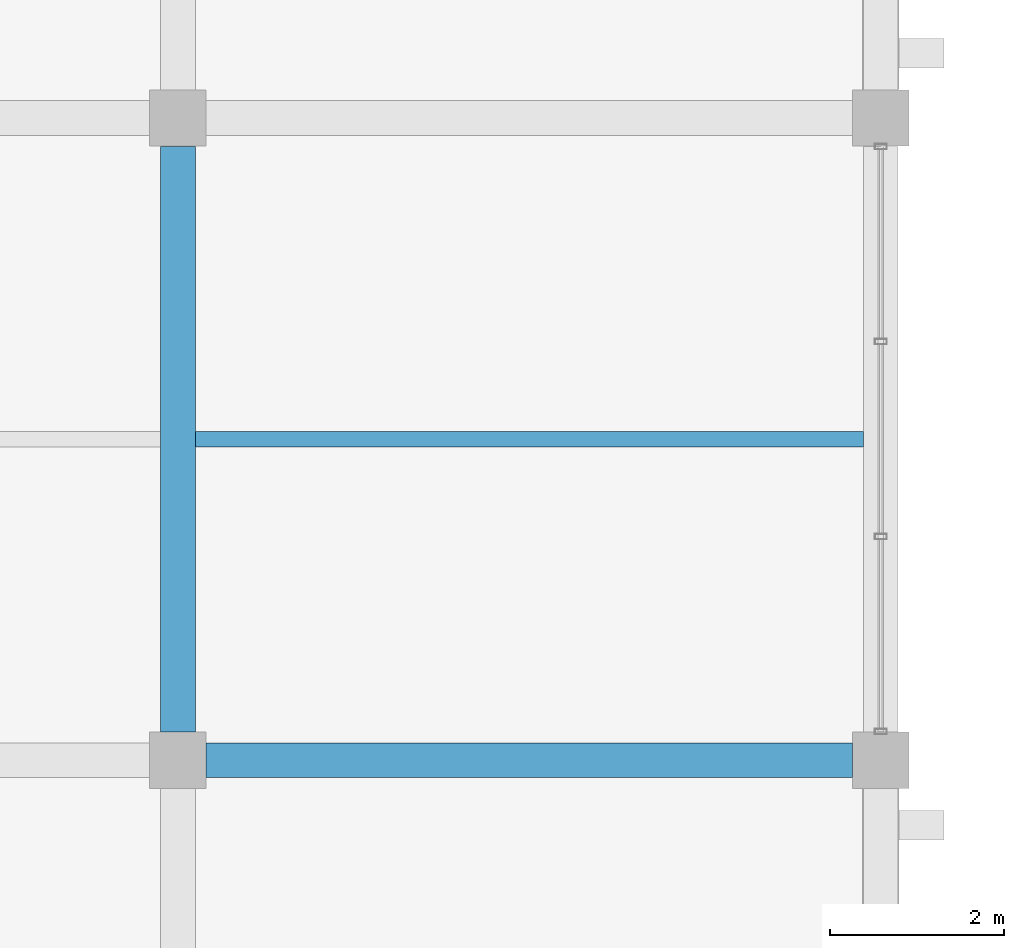
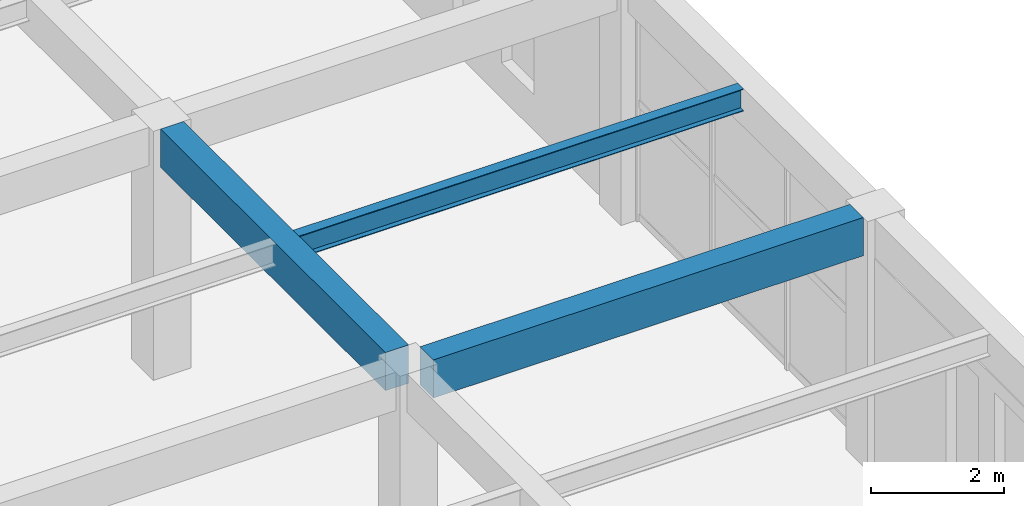
# One storey, part 95 of 161: 3 beams.
"""IFC4 building model written with IfcOpenShell, lengths in metres."""

from ifc_helpers import new_model, si_unit, direction, frame, origin, origin_2d, place, context, subcontext, project, spatial, rectangle, i_section, extrude, material, material_profile, profile_set, type_object, element, save


model = new_model("IFC4")

# Units and contexts
model_context = context("Model", 3, precision=1e-05, world=origin(), true_north=direction((0.0, 1.0)))
body_context = subcontext(model_context, "Body", "Model", "MODEL_VIEW")
ifc_project = project(units=[si_unit("LENGTHUNIT", "METRE"), si_unit("AREAUNIT", "SQUARE_METRE"), si_unit("VOLUMEUNIT", "CUBIC_METRE"), si_unit("PLANEANGLEUNIT", "RADIAN"), si_unit("MASSUNIT", "GRAM", prefix="KILO")], contexts=[model_context])

# Site, building, storey
site_placement = place(None, origin())
site = spatial("IfcSite", under=ifc_project, at=site_placement, CompositionType="ELEMENT")
building_placement = place(site_placement, origin())
building = spatial("IfcBuilding", under=site, at=building_placement, Name="Cimatlan Art Gallery", CompositionType="ELEMENT")
storey_placement = place(building_placement, frame((0.0, 0.0, 5.39990234375)))
storey = spatial("IfcBuildingStorey", under=building, at=storey_placement, Name="L01", CompositionType="ELEMENT", Elevation=5.39990234375)

# Beams
ifc_material_1 = material(Name="Concrete C40/50", Category="concrete")
ifc_material_profile_1 = material_profile(ifc_material_1, rectangle(XDim=0.39990234375, YDim=0.699951171875, at=origin_2d()), Name="RC400X700")
ifc_profile_set_1 = profile_set([ifc_material_profile_1], Name="Concrete C40/50")
beam_type_1 = type_object("IfcBeamType", Name="BM-RC-400X700", PredefinedType="BEAM", material=ifc_profile_set_1)
beam_1_placement = place(storey_placement, frame((123.5, 76.02490234375, 4.210205078125), z_axis=(0.0, 1.0, 0.0), x_axis=(-1.0, 0.0, 0.0)))
element("IfcBeam", 1, at=beam_1_placement, inside=storey, type_object=beam_type_1, Name="BM-Y-L01-15-10", PredefinedType="BEAM", context=body_context, shape_type="SweptSolid", body=[
    extrude(rectangle(XDim=0.39990234375, YDim=0.699951171875, at=origin_2d()), origin(), (0.0, 0.0, 1.0), 6.75),
])
beam_2_placement = place(storey_placement, frame((123.824951171875, 75.699951171875, 4.210205078125), z_axis=(1.0, 0.0, 0.0), x_axis=(0.0, 1.0, 0.0)))
element("IfcBeam", 2, at=beam_2_placement, inside=storey, type_object=beam_type_1, Name="BM-X-L01-15-10", PredefinedType="BEAM", context=body_context, shape_type="SweptSolid", body=[
    extrude(rectangle(XDim=0.39990234375, YDim=0.699951171875, at=origin_2d()), origin(), (0.0, 0.0, 1.0), 7.449951171875),
])
ifc_material_2 = material(Name="Steel ASTM A992 Grade 50", Category="steel")
ifc_material_profile_2 = material_profile(ifc_material_2, i_section(OverallWidth=0.177978515625, OverallDepth=0.406982421875, WebThickness=0.0078125, FlangeThickness=0.0126953125, at=origin_2d()), Name="W16X40")
ifc_profile_set_2 = profile_set([ifc_material_profile_2], Name="Steel ASTM A992 Grade 50")
beam_type_2 = type_object("IfcBeamType", Name="BM-STL-W16X40", PredefinedType="JOIST", material=ifc_profile_set_2)
beam_3_placement = place(storey_placement, frame((123.699951171875, 79.39990234375, 4.356689453125), z_axis=(1.0, 0.0, 0.0), x_axis=(0.0, 1.0, 0.0)))
element("IfcBeam", 3, at=beam_3_placement, inside=storey, type_object=beam_type_2, Name="JST-L01-15-10", PredefinedType="JOIST", context=body_context, shape_type="SweptSolid", body=[
    extrude(i_section(OverallWidth=0.177978515625, OverallDepth=0.406982421875, WebThickness=0.0078125, FlangeThickness=0.0126953125, at=origin_2d()), origin(), (0.0, 0.0, 1.0), 7.699951171875),
])

save(model, "model.ifc")
